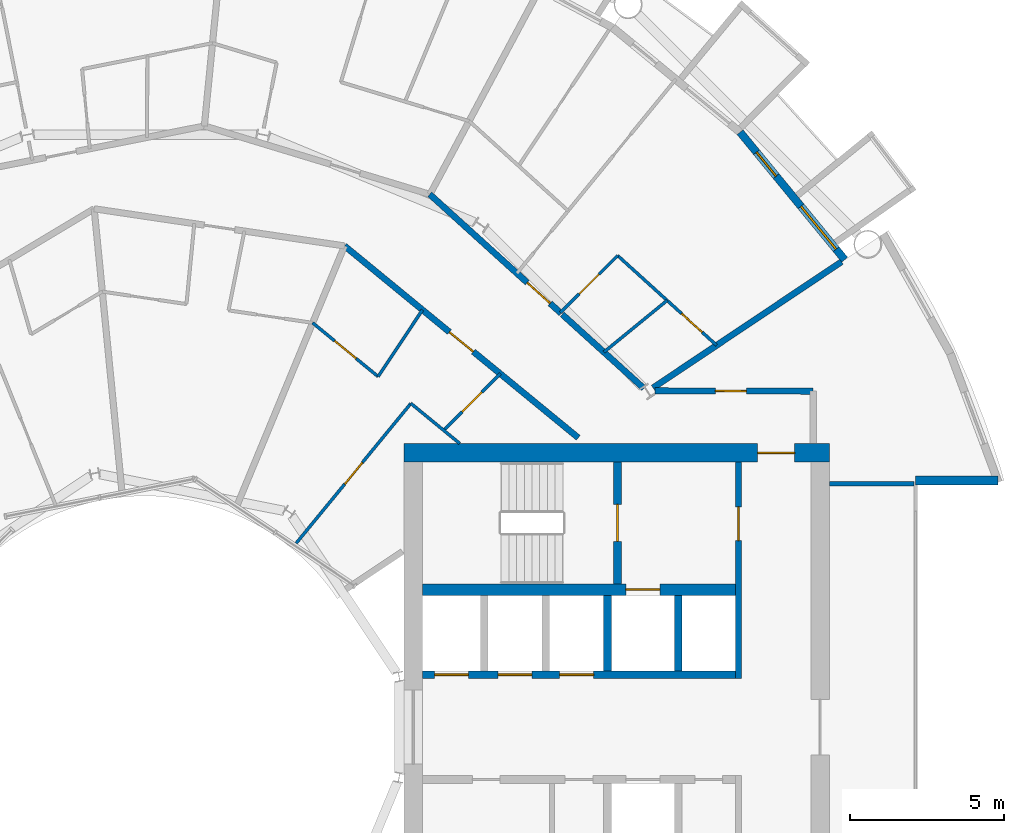
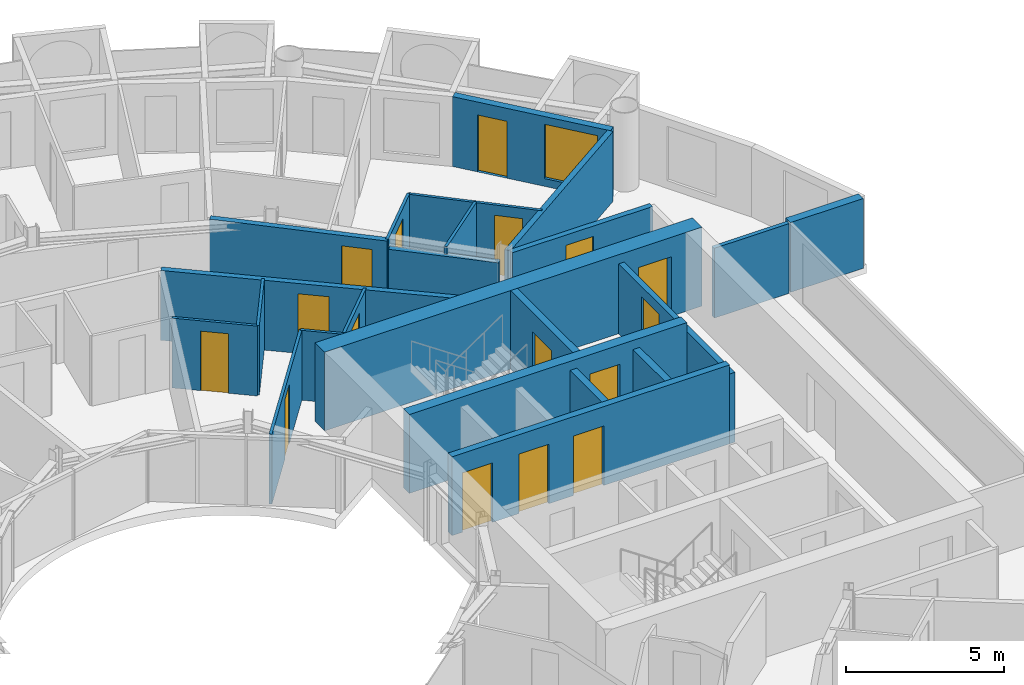
# One storey, part 22 of 28: 23 walls, 16 doors, 1 window, 17 openings.
"""IFC4 building model written with IfcOpenShell, lengths in metres."""

from ifc_helpers import new_model, si_unit, direction, frame, frame_2d, origin, place, context, subcontext, project, spatial, rectangle, extrude, material, layer, layer_set, type_object, element, fill, save


model = new_model("IFC4")

# Units and contexts
model_context = context("Model", 3, precision=1e-05, world=origin(), true_north=direction((0.0, 1.0)))
body_context = subcontext(model_context, "Body", "Model", "MODEL_VIEW")
ifc_project = project(units=[si_unit("LENGTHUNIT", "METRE"), si_unit("AREAUNIT", "SQUARE_METRE"), si_unit("VOLUMEUNIT", "CUBIC_METRE"), si_unit("PLANEANGLEUNIT", "RADIAN"), si_unit("MASSUNIT", "GRAM", prefix="KILO")], contexts=[model_context])

# Site, building, storey
site_placement = place(None, origin())
site = spatial("IfcSite", under=ifc_project, at=site_placement, CompositionType="ELEMENT")
building_placement = place(site_placement, origin())
building = spatial("IfcBuilding", under=site, at=building_placement, Name="Maasbend Ring Residences", CompositionType="ELEMENT")
storey_placement = place(building_placement, frame((0.0, 0.0, 129.949951171875)))
storey = spatial("IfcBuildingStorey", under=building, at=storey_placement, Name="L37", CompositionType="ELEMENT", Elevation=129.949951171875)

# Wall, openings, doors
ifc_material_1 = material(Name="Concrete C60/75", Category="concrete")
ifc_layer_1 = layer(ifc_material_1, 0.25)
ifc_layer_set_1 = layer_set([ifc_layer_1], Name="Concrete C60/75")
wall_type_1 = type_object("IfcWallType", Name="CORE WALL 250 C60/75", PredefinedType="SHEAR", material=ifc_layer_set_1)
wall_1_placement = place(storey_placement, frame((9.0, 1.699951171875, 0.0), z_axis=(0.0, 0.0, 1.0), x_axis=(1.0, 0.0, 0.0)))
wall_1 = element("IfcWall", 1, at=wall_1_placement, inside=storey, type_object=wall_type_1, Name="L37 core E wall SPN", PredefinedType="SHEAR", context=body_context, shape_type="SweptSolid", body=[
    extrude(rectangle(XDim=10.14990234375, YDim=0.25, at=frame_2d((5.074951171875, 0.0))), origin(), (0.0, 0.0, 1.0), 3.050048828125),
])
opening_1_placement = place(wall_1_placement, frame((0.387451171875, 0.0, 0.0)))
opening_1 = element("IfcOpeningElement", 2, at=opening_1_placement, cuts=wall_1, Name="Opening LD-E3701", PredefinedType="OPENING", context=body_context, shape_type="SweptSolid", body=[
    extrude(rectangle(XDim=1.10009765625, YDim=2.300048828125, at=frame_2d((0.550048828125, 1.14990234375))), frame((0.0, 0.135009765625, 0.0), z_axis=(0.0, -1.0, 0.0), x_axis=(1.0, 0.0, 0.0)), (0.0, 0.0, 1.0), 0.27001953125),
])
opening_2_placement = place(wall_1_placement, frame((2.449951171875, 0.0, 0.0)))
opening_2 = element("IfcOpeningElement", 3, at=opening_2_placement, cuts=wall_1, Name="Opening LD-E3702", PredefinedType="OPENING", context=body_context, shape_type="SweptSolid", body=[
    extrude(rectangle(XDim=1.10009765625, YDim=2.300048828125, at=frame_2d((0.550048828125, 1.14990234375))), frame((0.0, 0.135009765625, 0.0), z_axis=(0.0, -1.0, 0.0), x_axis=(1.0, 0.0, 0.0)), (0.0, 0.0, 1.0), 0.27001953125),
])
opening_3_placement = place(wall_1_placement, frame((4.449951171875, 0.0, 0.0)))
opening_3 = element("IfcOpeningElement", 4, at=opening_3_placement, cuts=wall_1, Name="Opening LD-E3703", PredefinedType="OPENING", context=body_context, shape_type="SweptSolid", body=[
    extrude(rectangle(XDim=1.10009765625, YDim=2.300048828125, at=frame_2d((0.550048828125, 1.14990234375))), frame((0.0, 0.135009765625, 0.0), z_axis=(0.0, -1.0, 0.0), x_axis=(1.0, 0.0, 0.0)), (0.0, 0.0, 1.0), 0.27001953125),
])
ifc_material_2 = material(Name="Stainless steel 316", Category="steel")
door_type_1 = type_object("IfcDoorType", Name="LANDING DOOR 1100 X 2300 FD60", OperationType="DOUBLE_DOOR_SLIDING", PredefinedType="DOOR", material=ifc_material_2)
door_1_placement = place(opening_1_placement, origin())
door_1 = element("IfcDoor", 5, at=door_1_placement, inside=storey, type_object=door_type_1, Name="Landing door LR-E1 L37", OperationType="DOUBLE_DOOR_SLIDING", OverallHeight=2.300048828125, OverallWidth=1.10009765625, PredefinedType="DOOR", context=body_context, shape_type="SweptSolid", body=[
    extrude(rectangle(XDim=1.10009765625, YDim=2.300048828125, at=frame_2d((0.550048828125, 1.14990234375))), frame((0.0, 0.02490234375, 0.0), z_axis=(0.0, -1.0, 0.0), x_axis=(1.0, 0.0, 0.0)), (0.0, 0.0, 1.0), 0.050048828125),
])
fill(opening_1, door_1)
door_2_placement = place(opening_2_placement, origin())
door_2 = element("IfcDoor", 6, at=door_2_placement, inside=storey, type_object=door_type_1, Name="Landing door LR-E2 L37", OperationType="DOUBLE_DOOR_SLIDING", OverallHeight=2.300048828125, OverallWidth=1.10009765625, PredefinedType="DOOR", context=body_context, shape_type="SweptSolid", body=[
    extrude(rectangle(XDim=1.10009765625, YDim=2.300048828125, at=frame_2d((0.550048828125, 1.14990234375))), frame((0.0, 0.02490234375, 0.0), z_axis=(0.0, -1.0, 0.0), x_axis=(1.0, 0.0, 0.0)), (0.0, 0.0, 1.0), 0.050048828125),
])
fill(opening_2, door_2)
door_3_placement = place(opening_3_placement, origin())
door_3 = element("IfcDoor", 7, at=door_3_placement, inside=storey, type_object=door_type_1, Name="Landing door LR-E3 L37", OperationType="DOUBLE_DOOR_SLIDING", OverallHeight=2.300048828125, OverallWidth=1.10009765625, PredefinedType="DOOR", context=body_context, shape_type="SweptSolid", body=[
    extrude(rectangle(XDim=1.10009765625, YDim=2.300048828125, at=frame_2d((0.550048828125, 1.14990234375))), frame((0.0, 0.02490234375, 0.0), z_axis=(0.0, -1.0, 0.0), x_axis=(1.0, 0.0, 0.0)), (0.0, 0.0, 1.0), 0.050048828125),
])
fill(opening_3, door_3)

# Wall, opening, door
wall_2_placement = place(storey_placement, frame((15.324951171875, 4.64990234375, 0.0), z_axis=(0.0, 0.0, 1.0), x_axis=(0.0, 1.0, 0.0)))
wall_2 = element("IfcWall", 8, at=wall_2_placement, inside=storey, type_object=wall_type_1, Name="L37 core E wall STEN", PredefinedType="SHEAR", context=body_context, shape_type="SweptSolid", body=[
    extrude(rectangle(XDim=3.9501953125, YDim=0.25, at=frame_2d((1.97509765625, 0.0))), origin(), (0.0, 0.0, 1.0), 3.050048828125),
])
opening_4_placement = place(wall_2_placement, frame((1.375, 0.0, 0.0)))
opening_4 = element("IfcOpeningElement", 9, at=opening_4_placement, cuts=wall_2, Name="Opening D-E3710", PredefinedType="OPENING", context=body_context, shape_type="SweptSolid", body=[
    extrude(rectangle(XDim=1.199951171875, YDim=2.300048828125, at=frame_2d((0.60009765625, 1.14990234375))), frame((0.0, 0.135009765625, 0.0), z_axis=(0.0, -1.0, 0.0), x_axis=(1.0, 0.0, 0.0)), (0.0, 0.0, 1.0), 0.27001953125),
])
ifc_material_3 = material(Name="Steel, powder coated", Category="steel")
door_type_2 = type_object("IfcDoorType", Name="STAIR DOOR 1200 X 2300 FD60", OperationType="NOTDEFINED", PredefinedType="DOOR", material=ifc_material_3)
door_4_placement = place(opening_4_placement, origin())
door_4 = element("IfcDoor", 10, at=door_4_placement, inside=storey, type_object=door_type_2, Name="Stair door ST-E L37", OperationType="SINGLE_SWING_LEFT", OverallHeight=2.300048828125, OverallWidth=1.199951171875, PredefinedType="DOOR", context=body_context, shape_type="SweptSolid", body=[
    extrude(rectangle(XDim=1.199951171875, YDim=2.300048828125, at=frame_2d((0.60009765625, 1.14990234375))), frame((0.0, 0.02490234375, 0.0), z_axis=(0.0, -1.0, 0.0), x_axis=(1.0, 0.0, 0.0)), (0.0, 0.0, 1.0), 0.050048828125),
])
fill(opening_4, door_4)

ifc_material_4 = material(Name="Concrete C60/75", Category="concrete")
ifc_layer_2 = layer(ifc_material_4, 0.375)
ifc_layer_set_2 = layer_set([ifc_layer_2], Name="Concrete C60/75")
wall_type_2 = type_object("IfcWallType", Name="CORE WALL 375 C60/75", PredefinedType="SHEAR", material=ifc_layer_set_2)
wall_3_placement = place(storey_placement, frame((9.0, 4.46240234375, 0.0), z_axis=(0.0, 0.0, 1.0), x_axis=(1.0, 0.0, 0.0)))
wall_3 = element("IfcWall", 11, at=wall_3_placement, inside=storey, type_object=wall_type_2, Name="L37 core E wall BN", PredefinedType="SHEAR", context=body_context, shape_type="SweptSolid", body=[
    extrude(rectangle(XDim=10.14990234375, YDim=0.375, at=frame_2d((5.074951171875, 0.0))), origin(), (0.0, 0.0, 1.0), 3.050048828125),
])
opening_5_placement = place(wall_3_placement, frame((6.60009765625, 0.0, 0.0)))
opening_5 = element("IfcOpeningElement", 12, at=opening_5_placement, cuts=wall_3, Name="Opening LD-E3704", PredefinedType="OPENING", context=body_context, shape_type="SweptSolid", body=[
    extrude(rectangle(XDim=1.10009765625, YDim=2.300048828125, at=frame_2d((0.550048828125, 1.14990234375))), frame((0.0, 0.197509765625, 0.0), z_axis=(0.0, -1.0, 0.0), x_axis=(1.0, 0.0, 0.0)), (0.0, 0.0, 1.0), 0.39501953125),
])
door_5_placement = place(opening_5_placement, origin())
door_5 = element("IfcDoor", 13, at=door_5_placement, inside=storey, type_object=door_type_1, Name="Landing door FF-E L37", OperationType="DOUBLE_DOOR_SLIDING", OverallHeight=2.300048828125, OverallWidth=1.10009765625, PredefinedType="DOOR", context=body_context, shape_type="SweptSolid", body=[
    extrude(rectangle(XDim=1.10009765625, YDim=2.300048828125, at=frame_2d((0.550048828125, 1.14990234375))), frame((0.0, 0.02490234375, 0.0), z_axis=(0.0, -1.0, 0.0), x_axis=(1.0, 0.0, 0.0)), (0.0, 0.0, 1.0), 0.050048828125),
])
fill(opening_5, door_5)

ifc_material_5 = material(Name="Concrete C60/75", Category="concrete")
ifc_layer_3 = layer(ifc_material_5, 0.60009765625)
ifc_layer_set_3 = layer_set([ifc_layer_3], Name="Concrete C60/75")
wall_type_3 = type_object("IfcWallType", Name="CORE WALL 600 C60/75", PredefinedType="SHEAR", material=ifc_layer_set_3)
wall_4_placement = place(storey_placement, frame((22.199951171875, 8.89990234375, 0.0), z_axis=(0.0, 0.0, 1.0), x_axis=(-1.0, 0.0, 0.0)))
wall_4 = element("IfcWall", 14, at=wall_4_placement, inside=storey, type_object=wall_type_3, Name="L37 core E wall PN", PredefinedType="SHEAR", context=body_context, shape_type="SweptSolid", body=[
    extrude(rectangle(XDim=13.800048828125, YDim=0.60009765625, at=frame_2d((6.89990234375, 0.0))), origin(), (0.0, 0.0, 1.0), 3.050048828125),
])
opening_6_placement = place(wall_4_placement, frame((1.125, 0.0, 0.0)))
opening_6 = element("IfcOpeningElement", 15, at=opening_6_placement, cuts=wall_4, Name="Opening D-E3714", PredefinedType="OPENING", context=body_context, shape_type="SweptSolid", body=[
    extrude(rectangle(XDim=1.199951171875, YDim=2.300048828125, at=frame_2d((0.60009765625, 1.14990234375))), frame((0.0, 0.31005859375, 0.0), z_axis=(0.0, -1.0, 0.0), x_axis=(1.0, 0.0, 0.0)), (0.0, 0.0, 1.0), 0.6201171875),
])
ifc_material_6 = material(Name="Steel, powder coated", Category="steel")
door_type_3 = type_object("IfcDoorType", Name="CORRIDOR DOOR 1200 X 2300 FD30S", OperationType="NOTDEFINED", PredefinedType="DOOR", material=ifc_material_6)
door_6_placement = place(opening_6_placement, origin())
door_6 = element("IfcDoor", 16, at=door_6_placement, inside=storey, type_object=door_type_3, Name="Corridor door L37", OperationType="SINGLE_SWING_RIGHT", OverallHeight=2.300048828125, OverallWidth=1.199951171875, PredefinedType="DOOR", context=body_context, shape_type="SweptSolid", body=[
    extrude(rectangle(XDim=1.199951171875, YDim=2.300048828125, at=frame_2d((0.60009765625, 1.14990234375))), frame((0.0, 0.02490234375, 0.0), z_axis=(0.0, -1.0, 0.0), x_axis=(1.0, 0.0, 0.0)), (0.0, 0.0, 1.0), 0.050048828125),
])
fill(opening_6, door_6)

ifc_material_7 = material(Name="Concrete C30/37", Category="concrete")
ifc_layer_4 = layer(ifc_material_7, 0.199951171875)
ifc_layer_set_4 = layer_set([ifc_layer_4], Name="Concrete C30/37")
wall_type_4 = type_object("IfcWallType", Name="CORRIDOR WALL 200 CONCRETE", PredefinedType="PARTITIONING", material=ifc_layer_set_4)
wall_5_placement = place(storey_placement, frame((16.5400390625, 10.9130859375, 0.0), z_axis=(0.0, 0.0, 1.0), x_axis=(0.99999670426, -0.002567385634, 0.0)))
wall_5 = element("IfcWall", 17, at=wall_5_placement, inside=storey, type_object=wall_type_4, Name="U-L37-w099", PredefinedType="PARTITIONING", context=body_context, shape_type="SweptSolid", body=[
    extrude(rectangle(XDim=5.135009765625, YDim=0.199951171875, at=frame_2d((2.5673828125, 0.0))), origin(), (0.0, 0.0, 1.0), 2.699951171875),
])
opening_7_placement = place(wall_5_placement, frame((1.965087890625, 0.0, 0.0)))
opening_7 = element("IfcOpeningElement", 18, at=opening_7_placement, cuts=wall_5, Name="Opening D-3774", PredefinedType="OPENING", context=body_context, shape_type="SweptSolid", body=[
    extrude(rectangle(XDim=1.0, YDim=2.300048828125, at=frame_2d((0.5, 1.14990234375))), frame((0.0, 0.10986328125, 0.0), z_axis=(0.0, -1.0, 0.0), x_axis=(1.0, 0.0, 0.0)), (0.0, 0.0, 1.0), 0.219970703125),
])
ifc_material_8 = material(Name="Timber, painted", Category="wood")
door_type_4 = type_object("IfcDoorType", Name="ROOM DOOR 1000 X 2300", OperationType="NOTDEFINED", PredefinedType="DOOR", material=ifc_material_8)
door_7_placement = place(opening_7_placement, origin())
door_7 = element("IfcDoor", 19, at=door_7_placement, inside=storey, type_object=door_type_4, Name="D-3774", OperationType="SINGLE_SWING_LEFT", OverallHeight=2.300048828125, OverallWidth=1.0, PredefinedType="DOOR", context=body_context, shape_type="SweptSolid", body=[
    extrude(rectangle(XDim=1.0, YDim=2.300048828125, at=frame_2d((0.5, 1.14990234375))), frame((0.0, 0.02490234375, 0.0), z_axis=(0.0, -1.0, 0.0), x_axis=(1.0, 0.0, 0.0)), (0.0, 0.0, 1.0), 0.050048828125),
])
fill(opening_7, door_7)

wall_6_placement = place(storey_placement, frame((6.469970703125, 15.613037109375, 0.0), z_axis=(0.0, 0.0, 1.0), x_axis=(0.77292501819, -0.634497372931, 0.0)))
wall_6 = element("IfcWall", 20, at=wall_6_placement, inside=storey, type_object=wall_type_4, Name="U-L37-w107", PredefinedType="PARTITIONING", context=body_context, shape_type="SweptSolid", body=[
    extrude(rectangle(XDim=9.8095703125, YDim=0.199951171875, at=frame_2d((4.90478515625, 0.0))), origin(), (0.0, 0.0, 1.0), 2.699951171875),
])
opening_8_placement = place(wall_6_placement, frame((4.404052734375, 0.0, 0.0)))
opening_8 = element("IfcOpeningElement", 21, at=opening_8_placement, cuts=wall_6, Name="Opening D-3724", PredefinedType="OPENING", context=body_context, shape_type="SweptSolid", body=[
    extrude(rectangle(XDim=1.0, YDim=2.300048828125, at=frame_2d((0.5, 1.14990234375))), frame((0.0, 0.10986328125, 0.0), z_axis=(0.0, -1.0, 0.0), x_axis=(1.0, 0.0, 0.0)), (0.0, 0.0, 1.0), 0.219970703125),
])
ifc_material_9 = material(Name="Timber, fire-rated, painted", Category="wood")
door_type_5 = type_object("IfcDoorType", Name="FLAT ENTRANCE DOOR 1000 X 2300 FIRE-RATED", OperationType="NOTDEFINED", PredefinedType="DOOR", material=ifc_material_9)
door_8_placement = place(opening_8_placement, origin())
door_8 = element("IfcDoor", 22, at=door_8_placement, inside=storey, type_object=door_type_5, Name="D-3724", OperationType="SINGLE_SWING_LEFT", OverallHeight=2.300048828125, OverallWidth=1.0, PredefinedType="DOOR", context=body_context, shape_type="SweptSolid", body=[
    extrude(rectangle(XDim=1.0, YDim=2.300048828125, at=frame_2d((0.5, 1.14990234375))), frame((0.0, 0.02490234375, 0.0), z_axis=(0.0, -1.0, 0.0), x_axis=(1.0, 0.0, 0.0)), (0.0, 0.0, 1.0), 0.050048828125),
])
fill(opening_8, door_8)

wall_7_placement = place(storey_placement, frame((9.23193359375, 17.2890625, 0.0), z_axis=(0.0, 0.0, 1.0), x_axis=(0.741112328493, -0.67138105168, 0.0)))
wall_7 = element("IfcWall", 23, at=wall_7_placement, inside=storey, type_object=wall_type_4, Name="U-L37-w114", PredefinedType="PARTITIONING", context=body_context, shape_type="SweptSolid", body=[
    extrude(rectangle(XDim=5.75244140625, YDim=0.199951171875, at=frame_2d((2.876220703125, 0.0))), origin(), (0.0, 0.0, 1.0), 2.699951171875),
])
opening_9_placement = place(wall_7_placement, frame((4.27001953125, 0.0, 0.0)))
opening_9 = element("IfcOpeningElement", 24, at=opening_9_placement, cuts=wall_7, Name="Opening D-3701", PredefinedType="OPENING", context=body_context, shape_type="SweptSolid", body=[
    extrude(rectangle(XDim=1.0, YDim=2.300048828125, at=frame_2d((0.5, 1.14990234375))), frame((0.0, 0.10986328125, 0.0), z_axis=(0.0, -1.0, 0.0), x_axis=(1.0, 0.0, 0.0)), (0.0, 0.0, 1.0), 0.219970703125),
])
door_9_placement = place(opening_9_placement, origin())
door_9 = element("IfcDoor", 25, at=door_9_placement, inside=storey, type_object=door_type_5, Name="D-3701", OperationType="SINGLE_SWING_RIGHT", OverallHeight=2.300048828125, OverallWidth=1.0, PredefinedType="DOOR", context=body_context, shape_type="SweptSolid", body=[
    extrude(rectangle(XDim=1.0, YDim=2.300048828125, at=frame_2d((0.5, 1.14990234375))), frame((0.0, 0.02490234375, 0.0), z_axis=(0.0, -1.0, 0.0), x_axis=(1.0, 0.0, 0.0)), (0.0, 0.0, 1.0), 0.050048828125),
])
fill(opening_9, door_9)

# Wall
wall_8_placement = place(storey_placement, frame((13.531005859375, 13.39404296875, 0.0), z_axis=(0.0, 0.0, 1.0), x_axis=(0.741095315462, -0.671399831249, 0.0)))
element("IfcWall", 26, at=wall_8_placement, inside=storey, type_object=wall_type_4, Name="U-L37-w115", PredefinedType="PARTITIONING", context=body_context, shape_type="SweptSolid", body=[
    extrude(rectangle(XDim=3.572998046875, YDim=0.199951171875, at=frame_2d((1.78662109375, 0.0))), origin(), (0.0, 0.0, 1.0), 2.39013671875),
])

# Wall, openings, door, window
ifc_material_10 = material(Name="Aluminium clad insulated panel", Category="aluminium")
ifc_layer_5 = layer(ifc_material_10, 0.25)
ifc_layer_set_5 = layer_set([ifc_layer_5], Name="EW-GL")
wall_type_5 = type_object("IfcWallType", Name="EW-GL", PredefinedType="SOLIDWALL", material=ifc_layer_set_5)
wall_9_placement = place(storey_placement, frame((22.698974609375, 15.1669921875, 0.0), z_axis=(0.0, 0.0, 1.0), x_axis=(-0.634382322723, 0.773019449054, 0.0)))
wall_9 = element("IfcWall", 27, at=wall_9_placement, inside=storey, type_object=wall_type_5, Name="External wall N01", PredefinedType="SOLIDWALL", context=body_context, shape_type="SweptSolid", body=[
    extrude(rectangle(XDim=5.351806640625, YDim=0.25, at=frame_2d((2.67578125, 0.0))), origin(), (0.0, 0.0, 1.0), 2.699951171875),
])
opening_10_placement = place(wall_9_placement, frame((0.441162109375, 0.0, 0.300048828125)))
opening_10 = element("IfcOpeningElement", 28, at=opening_10_placement, cuts=wall_9, Name="Opening W-BX", PredefinedType="OPENING", context=body_context, shape_type="SweptSolid", body=[
    extrude(rectangle(XDim=1.800048828125, YDim=2.10009765625, at=frame_2d((0.89990234375, 1.050048828125))), frame((0.0, 0.135009765625, 0.0), z_axis=(0.0, -1.0, 0.0), x_axis=(1.0, 0.0, 0.0)), (0.0, 0.0, 1.0), 0.27001953125),
])
opening_11_placement = place(wall_9_placement, frame((3.510498046875, 0.0, 0.0)))
opening_11 = element("IfcOpeningElement", 29, at=opening_11_placement, cuts=wall_9, Name="Opening D-LG", PredefinedType="OPENING", context=body_context, shape_type="SweptSolid", body=[
    extrude(rectangle(XDim=1.0, YDim=2.199951171875, at=frame_2d((0.5, 1.10009765625))), frame((0.0, 0.135009765625, 0.0), z_axis=(0.0, -1.0, 0.0), x_axis=(1.0, 0.0, 0.0)), (0.0, 0.0, 1.0), 0.27001953125),
])
ifc_material_11 = material(Name="Aluminium and clear glass", Category="aluminium")
door_type_6 = type_object("IfcDoorType", Name="D-LG", OperationType="SINGLE_SWING_LEFT", PredefinedType="DOOR", material=ifc_material_11)
door_10_placement = place(opening_11_placement, origin())
door_10 = element("IfcDoor", 30, at=door_10_placement, inside=storey, type_object=door_type_6, Name="Loggia door N02", OperationType="SINGLE_SWING_LEFT", OverallHeight=2.199951171875, OverallWidth=1.0, PredefinedType="DOOR", context=body_context, shape_type="SweptSolid", body=[
    extrude(rectangle(XDim=1.0, YDim=2.199951171875, at=frame_2d((0.5, 1.10009765625))), frame((0.0, 0.02490234375, 0.0), z_axis=(0.0, -1.0, 0.0), x_axis=(1.0, 0.0, 0.0)), (0.0, 0.0, 1.0), 0.050048828125),
])
fill(opening_11, door_10)
ifc_material_12 = material(Name="Aluminium and clear glass", Category="aluminium")
window_type = type_object("IfcWindowType", Name="W-BX", PartitioningType="DOUBLE_PANEL_VERTICAL", PredefinedType="WINDOW", material=ifc_material_12)
window_placement = place(opening_10_placement, origin())
window = element("IfcWindow", 31, at=window_placement, inside=storey, type_object=window_type, Name="Window N01 room to box", OverallHeight=2.10009765625, OverallWidth=1.800048828125, PartitioningType="SINGLE_PANEL", PredefinedType="WINDOW", context=body_context, shape_type="SweptSolid", body=[
    extrude(rectangle(XDim=1.800048828125, YDim=2.10009765625, at=frame_2d((0.89990234375, 1.050048828125))), frame((0.0, 0.030029296875, 0.0), z_axis=(0.0, -1.0, 0.0), x_axis=(1.0, 0.0, 0.0)), (0.0, 0.0, 1.0), 0.06005859375),
])
fill(opening_10, window)

# Wall
ifc_material_13 = material(Name="Aluminium clad insulated panel", Category="aluminium")
ifc_layer_6 = layer(ifc_material_13, 0.300048828125)
ifc_layer_set_6 = layer_set([ifc_layer_6], Name="EW-RET")
wall_type_6 = type_object("IfcWallType", Name="EW-RET", PredefinedType="SOLIDWALL", material=ifc_layer_set_6)
wall_10_placement = place(storey_placement, frame((25.0, 8.0, 0.0), z_axis=(0.0, 0.0, 1.0), x_axis=(1.0, 0.0, 0.0)))
element("IfcWall", 32, at=wall_10_placement, inside=storey, type_object=wall_type_6, Name="Notch return wall east north", PredefinedType="SOLIDWALL", context=body_context, shape_type="SweptSolid", body=[
    extrude(rectangle(XDim=2.6669921875, YDim=0.300048828125, at=frame_2d((1.33349609375, 0.0))), origin(), (0.0, 0.0, 1.0), 2.699951171875),
])

# Wall, opening, door
ifc_material_14 = material(Name="Gypsum board on steel studs", Category="steel")
ifc_layer_7 = layer(ifc_material_14, 0.10009765625)
ifc_layer_set_7 = layer_set([ifc_layer_7], Name="PARTITION 100 GYPSUM")
wall_type_7 = type_object("IfcWallType", Name="PARTITION 100 GYPSUM", PredefinedType="PARTITIONING", material=ifc_layer_set_7)
wall_11_placement = place(storey_placement, frame((4.89892578125, 5.967041015625, 0.0), z_axis=(0.0, 0.0, 1.0), x_axis=(0.634358693064, 0.773038840249, 0.0)))
wall_11 = element("IfcWall", 33, at=wall_11_placement, inside=storey, type_object=wall_type_7, Name="U-L37-w075", PredefinedType="PARTITIONING", context=body_context, shape_type="SweptSolid", body=[
    extrude(rectangle(XDim=5.86767578125, YDim=0.10009765625, at=frame_2d((2.933837890625, 0.0))), origin(), (0.0, 0.0, 1.0), 2.699951171875),
])
opening_12_placement = place(wall_11_placement, frame((2.48388671875, 0.0, 0.0)))
opening_12 = element("IfcOpeningElement", 34, at=opening_12_placement, cuts=wall_11, Name="Opening D-3727", PredefinedType="OPENING", context=body_context, shape_type="SweptSolid", body=[
    extrude(rectangle(XDim=0.89990234375, YDim=2.300048828125, at=frame_2d((0.449951171875, 1.14990234375))), frame((0.0, 0.06005859375, 0.0), z_axis=(0.0, -1.0, 0.0), x_axis=(1.0, 0.0, 0.0)), (0.0, 0.0, 1.0), 0.1201171875),
])
ifc_material_15 = material(Name="Timber, painted", Category="wood")
door_type_7 = type_object("IfcDoorType", Name="INTERNAL DOOR 900 X 2300", OperationType="NOTDEFINED", PredefinedType="DOOR", material=ifc_material_15)
door_11_placement = place(opening_12_placement, origin())
door_11 = element("IfcDoor", 35, at=door_11_placement, inside=storey, type_object=door_type_7, Name="D-3727", OperationType="SINGLE_SWING_RIGHT", OverallHeight=2.300048828125, OverallWidth=0.89990234375, PredefinedType="DOOR", context=body_context, shape_type="SweptSolid", body=[
    extrude(rectangle(XDim=0.89990234375, YDim=2.300048828125, at=frame_2d((0.449951171875, 1.14990234375))), frame((0.0, 0.02490234375, 0.0), z_axis=(0.0, -1.0, 0.0), x_axis=(1.0, 0.0, 0.0)), (0.0, 0.0, 1.0), 0.050048828125),
])
fill(opening_12, door_11)

# Wall
wall_12_placement = place(storey_placement, frame((7.56005859375, 11.375, 0.0), z_axis=(0.0, 0.0, 1.0), x_axis=(0.553354377247, 0.83294593653, 0.0)))
element("IfcWall", 36, at=wall_12_placement, inside=storey, type_object=wall_type_7, Name="U-L37-w079", PredefinedType="PARTITIONING", context=body_context, shape_type="SweptSolid", body=[
    extrude(rectangle(XDim=2.596923828125, YDim=0.10009765625, at=frame_2d((1.29833984375, 0.0))), origin(), (0.0, 0.0, 1.0), 2.699951171875),
])

# Wall, opening, door
wall_13_placement = place(storey_placement, frame((9.68310546875, 9.632080078125, 0.0), z_axis=(0.0, 0.0, 1.0), x_axis=(0.708796844581, 0.705412668665, 0.0)))
wall_13 = element("IfcWall", 37, at=wall_13_placement, inside=storey, type_object=wall_type_7, Name="U-L37-w085", PredefinedType="PARTITIONING", context=body_context, shape_type="SweptSolid", body=[
    extrude(rectangle(XDim=2.59716796875, YDim=0.10009765625, at=frame_2d((1.298583984375, 0.0))), origin(), (0.0, 0.0, 1.0), 2.699951171875),
])
opening_13_placement = place(wall_13_placement, frame((0.84912109375, 0.0, 0.0)))
opening_13 = element("IfcOpeningElement", 38, at=opening_13_placement, cuts=wall_13, Name="Opening D-3726", PredefinedType="OPENING", context=body_context, shape_type="SweptSolid", body=[
    extrude(rectangle(XDim=0.89990234375, YDim=2.300048828125, at=frame_2d((0.449951171875, 1.14990234375))), frame((0.0, 0.06005859375, 0.0), z_axis=(0.0, -1.0, 0.0), x_axis=(1.0, 0.0, 0.0)), (0.0, 0.0, 1.0), 0.1201171875),
])
door_12_placement = place(opening_13_placement, origin())
door_12 = element("IfcDoor", 39, at=door_12_placement, inside=storey, type_object=door_type_7, Name="D-3726", OperationType="SINGLE_SWING_LEFT", OverallHeight=2.300048828125, OverallWidth=0.89990234375, PredefinedType="DOOR", context=body_context, shape_type="SweptSolid", body=[
    extrude(rectangle(XDim=0.89990234375, YDim=2.300048828125, at=frame_2d((0.449951171875, 1.14990234375))), frame((0.0, 0.02490234375, 0.0), z_axis=(0.0, -1.0, 0.0), x_axis=(1.0, 0.0, 0.0)), (0.0, 0.0, 1.0), 0.050048828125),
])
fill(opening_13, door_12)

wall_14_placement = place(storey_placement, frame((13.47412109375, 13.447998046875, 0.0), z_axis=(0.0, 0.0, 1.0), x_axis=(0.707851299421, 0.706361478217, 0.0)))
wall_14 = element("IfcWall", 40, at=wall_14_placement, inside=storey, type_object=wall_type_7, Name="U-L37-w091", PredefinedType="PARTITIONING", context=body_context, shape_type="SweptSolid", body=[
    extrude(rectangle(XDim=2.6220703125, YDim=0.10009765625, at=frame_2d((1.31103515625, 0.0))), origin(), (0.0, 0.0, 1.0), 2.699951171875),
])
opening_14_placement = place(wall_14_placement, frame((0.861083984375, 0.0, 0.0)))
opening_14 = element("IfcOpeningElement", 41, at=opening_14_placement, cuts=wall_14, Name="Opening D-3703", PredefinedType="OPENING", context=body_context, shape_type="SweptSolid", body=[
    extrude(rectangle(XDim=0.89990234375, YDim=2.300048828125, at=frame_2d((0.449951171875, 1.14990234375))), frame((0.0, 0.06005859375, 0.0), z_axis=(0.0, -1.0, 0.0), x_axis=(1.0, 0.0, 0.0)), (0.0, 0.0, 1.0), 0.1201171875),
])
door_13_placement = place(opening_14_placement, origin())
door_13 = element("IfcDoor", 42, at=door_13_placement, inside=storey, type_object=door_type_7, Name="D-3703", OperationType="SINGLE_SWING_LEFT", OverallHeight=2.300048828125, OverallWidth=0.89990234375, PredefinedType="DOOR", context=body_context, shape_type="SweptSolid", body=[
    extrude(rectangle(XDim=0.89990234375, YDim=2.300048828125, at=frame_2d((0.449951171875, 1.14990234375))), frame((0.0, 0.02490234375, 0.0), z_axis=(0.0, -1.0, 0.0), x_axis=(1.0, 0.0, 0.0)), (0.0, 0.0, 1.0), 0.050048828125),
])
fill(opening_14, door_13)

# Wall
wall_15_placement = place(storey_placement, frame((14.885009765625, 12.16796875, 0.0), z_axis=(0.0, 0.0, 1.0), x_axis=(0.774162545943, 0.632986850147, 0.0)))
element("IfcWall", 43, at=wall_15_placement, inside=storey, type_object=wall_type_7, Name="U-L37-w093", PredefinedType="PARTITIONING", context=body_context, shape_type="SweptSolid", body=[
    extrude(rectangle(XDim=2.6494140625, YDim=0.10009765625, at=frame_2d((1.32470703125, 0.0))), origin(), (0.0, 0.0, 1.0), 2.699951171875),
])

# Wall, opening, door
wall_16_placement = place(storey_placement, frame((5.430908203125, 13.1201171875, 0.0), z_axis=(0.0, 0.0, 1.0), x_axis=(0.773149312811, -0.634224045665, 0.0)))
wall_16 = element("IfcWall", 44, at=wall_16_placement, inside=storey, type_object=wall_type_7, Name="U-L37-w102", PredefinedType="PARTITIONING", context=body_context, shape_type="SweptSolid", body=[
    extrude(rectangle(XDim=2.74853515625, YDim=0.10009765625, at=frame_2d((1.374267578125, 0.0))), origin(), (0.0, 0.0, 1.0), 2.699951171875),
])
opening_15_placement = place(wall_16_placement, frame((0.927001953125, 0.0, 0.0)))
opening_15 = element("IfcOpeningElement", 45, at=opening_15_placement, cuts=wall_16, Name="Opening D-3725", PredefinedType="OPENING", context=body_context, shape_type="SweptSolid", body=[
    extrude(rectangle(XDim=0.89990234375, YDim=2.300048828125, at=frame_2d((0.449951171875, 1.14990234375))), frame((0.0, 0.06005859375, 0.0), z_axis=(0.0, -1.0, 0.0), x_axis=(1.0, 0.0, 0.0)), (0.0, 0.0, 1.0), 0.1201171875),
])
door_14_placement = place(opening_15_placement, origin())
door_14 = element("IfcDoor", 46, at=door_14_placement, inside=storey, type_object=door_type_7, Name="D-3725", OperationType="SINGLE_SWING_RIGHT", OverallHeight=2.300048828125, OverallWidth=0.89990234375, PredefinedType="DOOR", context=body_context, shape_type="SweptSolid", body=[
    extrude(rectangle(XDim=0.89990234375, YDim=2.300048828125, at=frame_2d((0.449951171875, 1.14990234375))), frame((0.0, 0.02490234375, 0.0), z_axis=(0.0, -1.0, 0.0), x_axis=(1.0, 0.0, 0.0)), (0.0, 0.0, 1.0), 0.050048828125),
])
fill(opening_15, door_14)

# Wall
wall_17_placement = place(storey_placement, frame((8.617919921875, 10.506103515625, 0.0), z_axis=(0.0, 0.0, 1.0), x_axis=(0.772998703631, -0.634407600983, 0.0)))
element("IfcWall", 47, at=wall_17_placement, inside=storey, type_object=wall_type_7, Name="U-L37-w103", PredefinedType="PARTITIONING", context=body_context, shape_type="SweptSolid", body=[
    extrude(rectangle(XDim=2.0556640625, YDim=0.10009765625, at=frame_2d((1.02783203125, 0.0))), origin(), (0.0, 0.0, 1.0), 2.699951171875),
])

# Wall, opening, door
wall_18_placement = place(storey_placement, frame((15.330078125, 15.300048828125, 0.0), z_axis=(0.0, 0.0, 1.0), x_axis=(0.740948416939, -0.671561943112, 0.0)))
wall_18 = element("IfcWall", 48, at=wall_18_placement, inside=storey, type_object=wall_type_7, Name="U-L37-w122", PredefinedType="PARTITIONING", context=body_context, shape_type="SweptSolid", body=[
    extrude(rectangle(XDim=4.3349609375, YDim=0.10009765625, at=frame_2d((2.16748046875, 0.0))), origin(), (0.0, 0.0, 1.0), 2.699951171875),
])
opening_16_placement = place(wall_18_placement, frame((2.802978515625, 0.0, 0.0)))
opening_16 = element("IfcOpeningElement", 49, at=opening_16_placement, cuts=wall_18, Name="Opening D-3702", PredefinedType="OPENING", context=body_context, shape_type="SweptSolid", body=[
    extrude(rectangle(XDim=0.89990234375, YDim=2.300048828125, at=frame_2d((0.449951171875, 1.14990234375))), frame((0.0, 0.06005859375, 0.0), z_axis=(0.0, -1.0, 0.0), x_axis=(1.0, 0.0, 0.0)), (0.0, 0.0, 1.0), 0.1201171875),
])
door_15_placement = place(opening_16_placement, origin())
door_15 = element("IfcDoor", 50, at=door_15_placement, inside=storey, type_object=door_type_7, Name="D-3702", OperationType="SINGLE_SWING_RIGHT", OverallHeight=2.300048828125, OverallWidth=0.89990234375, PredefinedType="DOOR", context=body_context, shape_type="SweptSolid", body=[
    extrude(rectangle(XDim=0.89990234375, YDim=2.300048828125, at=frame_2d((0.449951171875, 1.14990234375))), frame((0.0, 0.02490234375, 0.0), z_axis=(0.0, -1.0, 0.0), x_axis=(1.0, 0.0, 0.0)), (0.0, 0.0, 1.0), 0.050048828125),
])
fill(opening_16, door_15)

# Walls
ifc_material_16 = material(Name="Gypsum board on steel studs", Category="steel")
ifc_layer_8 = layer(ifc_material_16, 0.14990234375)
ifc_layer_set_8 = layer_set([ifc_layer_8], Name="PARTITION 150 EI 60")
wall_type_8 = type_object("IfcWallType", Name="PARTITION 150 EI 60", PredefinedType="PARTITIONING", material=ifc_layer_set_8)
wall_19_placement = place(storey_placement, frame((22.199951171875, 7.89990234375, 0.0), z_axis=(0.0, 0.0, 1.0), x_axis=(1.0, 0.0, 0.0)))
element("IfcWall", 51, at=wall_19_placement, inside=storey, type_object=wall_type_8, Name="L37 core E wall CITN", PredefinedType="PARTITIONING", context=body_context, shape_type="SweptSolid", body=[
    extrude(rectangle(XDim=2.739990234375, YDim=0.14990234375, at=frame_2d((1.3701171875, 0.0))), origin(), (0.0, 0.0, 1.0), 2.699951171875),
])
ifc_material_17 = material(Name="Concrete C30/37", Category="concrete")
ifc_layer_9 = layer(ifc_material_17, 0.199951171875)
ifc_layer_set_9 = layer_set([ifc_layer_9], Name="Concrete C30/37")
wall_type_9 = type_object("IfcWallType", Name="PARTY WALL 200 CONCRETE", PredefinedType="PARTITIONING", material=ifc_layer_set_9)
wall_20_placement = place(storey_placement, frame((16.47705078125, 11.009033203125, 0.0), z_axis=(0.0, 0.0, 1.0), x_axis=(0.831406593008, 0.555664536482, 0.0)))
element("IfcWall", 52, at=wall_20_placement, inside=storey, type_object=wall_type_9, Name="U-L37-w095", PredefinedType="PARTITIONING", context=body_context, shape_type="SweptSolid", body=[
    extrude(rectangle(XDim=7.3583984375, YDim=0.199951171875, at=frame_2d((3.67919921875, 0.0))), origin(), (0.0, 0.0, 1.0), 2.699951171875),
])

# Wall, opening, door
ifc_material_18 = material(Name="Concrete C30/37", Category="concrete")
ifc_layer_10 = layer(ifc_material_18, 0.199951171875)
ifc_layer_set_10 = layer_set([ifc_layer_10], Name="Concrete C30/37")
wall_type_10 = type_object("IfcWallType", Name="SHAFT WALL 200 EI 120", PredefinedType="SOLIDWALL", material=ifc_layer_set_10)
wall_21_placement = place(storey_placement, frame((19.25, 1.574951171875, 0.0), z_axis=(0.0, 0.0, 1.0), x_axis=(0.0, 1.0, 0.0)))
wall_21 = element("IfcWall", 53, at=wall_21_placement, inside=storey, type_object=wall_type_10, Name="L37 core E wall ENDN", PredefinedType="SOLIDWALL", context=body_context, shape_type="SweptSolid", body=[
    extrude(rectangle(XDim=7.025146484375, YDim=0.199951171875, at=frame_2d((3.5126953125, 0.0))), origin(), (0.0, 0.0, 1.0), 2.699951171875),
])
opening_17_placement = place(wall_21_placement, frame((4.47509765625, 0.0, 0.0)))
opening_17 = element("IfcOpeningElement", 54, at=opening_17_placement, cuts=wall_21, Name="Opening D-E3712", PredefinedType="OPENING", context=body_context, shape_type="SweptSolid", body=[
    extrude(rectangle(XDim=1.10009765625, YDim=2.300048828125, at=frame_2d((0.550048828125, 1.14990234375))), frame((0.0, 0.10986328125, 0.0), z_axis=(0.0, -1.0, 0.0), x_axis=(1.0, 0.0, 0.0)), (0.0, 0.0, 1.0), 0.219970703125),
])
ifc_material_19 = material(Name="Steel, powder coated", Category="steel")
door_type_8 = type_object("IfcDoorType", Name="LOBBY DOOR 1100 X 2300 FD60", OperationType="NOTDEFINED", PredefinedType="DOOR", material=ifc_material_19)
door_16_placement = place(opening_17_placement, origin())
door_16 = element("IfcDoor", 55, at=door_16_placement, inside=storey, type_object=door_type_8, Name="Lobby door L37", OperationType="SINGLE_SWING_LEFT", OverallHeight=2.300048828125, OverallWidth=1.10009765625, PredefinedType="DOOR", context=body_context, shape_type="SweptSolid", body=[
    extrude(rectangle(XDim=1.10009765625, YDim=2.300048828125, at=frame_2d((0.550048828125, 1.14990234375))), frame((0.0, 0.02490234375, 0.0), z_axis=(0.0, -1.0, 0.0), x_axis=(1.0, 0.0, 0.0)), (0.0, 0.0, 1.0), 0.050048828125),
])
fill(opening_17, door_16)

# Walls
ifc_material_20 = material(Name="Concrete C30/37", Category="concrete")
ifc_layer_11 = layer(ifc_material_20, 0.25)
ifc_layer_set_11 = layer_set([ifc_layer_11], Name="Concrete C30/37")
wall_type_11 = type_object("IfcWallType", Name="SHAFT WALL 250 EI 120", PredefinedType="SOLIDWALL", material=ifc_layer_set_11)
for number, where, z_axis, x_axis, name in (
    (56, (15.0, 1.824951171875, 0.0), (0.0, 0.0, 1.0), (0.0, 1.0, 0.0), "L37 core E wall D150N"),
    (57, (17.300048828125, 1.824951171875, 0.0), (0.0, 0.0, 1.0), (0.0, 1.0, 0.0), "L37 core E wall D173N"),
):
    element("IfcWall", number, at=place(storey_placement, frame(where, z_axis=z_axis, x_axis=x_axis)), inside=storey, type_object=wall_type_11, Name=name, PredefinedType="SOLIDWALL", context=body_context, shape_type="SweptSolid", body=[
        extrude(rectangle(XDim=2.449951171875, YDim=0.25, at=frame_2d((1.22509765625, 0.0))), origin(), (0.0, 0.0, 1.0), 2.699951171875),
    ])

save(model, "model.ifc")
